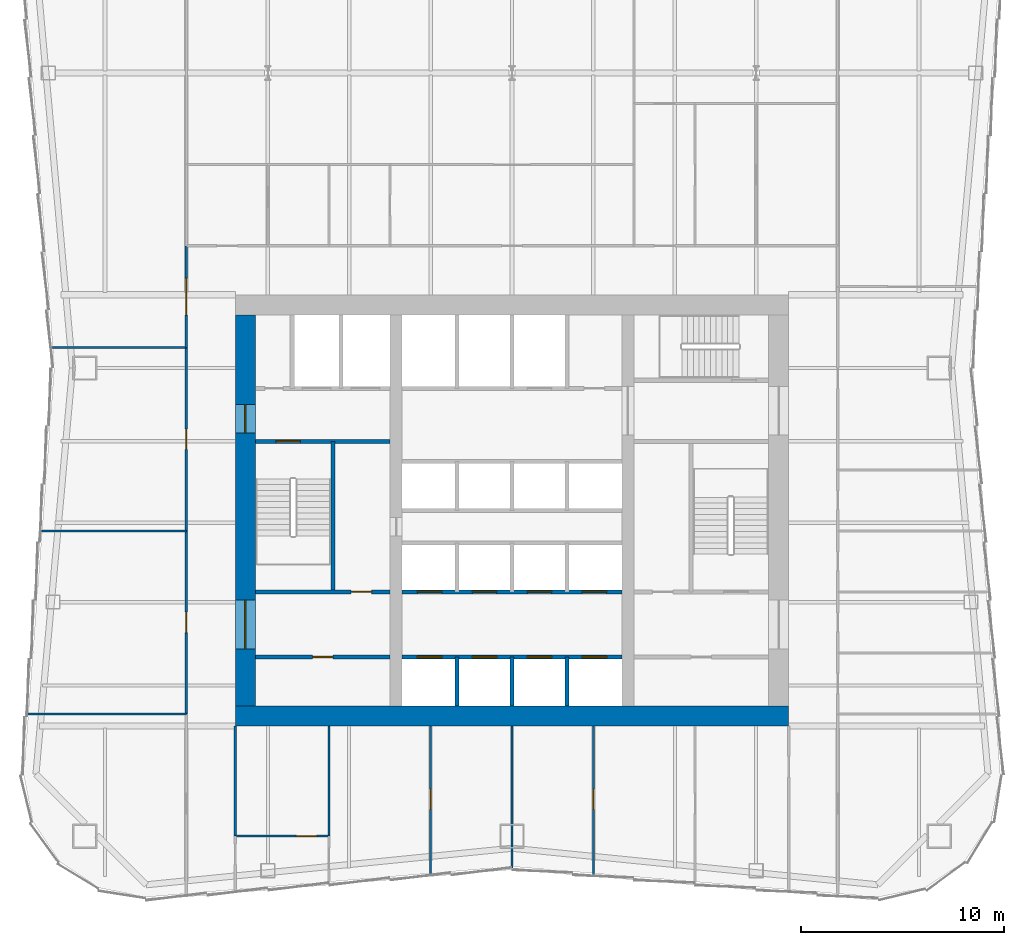
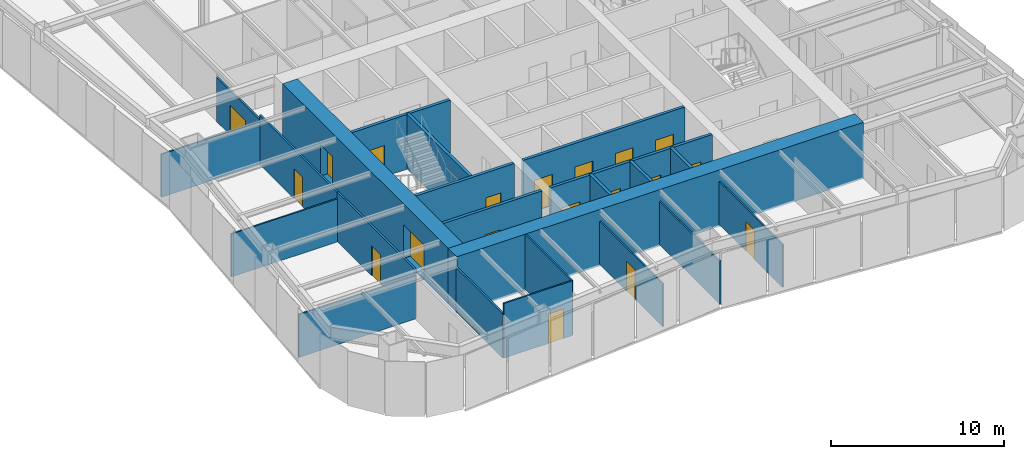
# One storey, part 4 of 8: 23 walls, 19 doors, 19 openings.
"""IFC4 building model written with IfcOpenShell, lengths in metres."""

import ifcopenshell
import ifcopenshell.guid

model = None  # the IFC model being written
_history = None  # IfcOwnerHistory: only IFC2X3 demands one
_inside = {}  # id of a spatial element -> (the spatial element, [elements in it])
_under = {}  # id of a project, library or spatial element -> (it, [spatial elements below it])
_declared = {}  # id of a project -> (the project, [libraries it declares])
_typed = {}  # id of a type object -> (the type object, [elements of that type])
_made_of = {}  # id of a material, layer set ... -> (it, [elements and type objects made of it])


def new_model(schema):
    """Start an empty IFC model of exactly this schema.

    Asked for "IFC4X3", IfcOpenShell would pick the latest addendum, in which some entities
    have other attributes; the version numbers below select the first issue.
    IFC2X3 requires an IfcOwnerHistory on every rooted entity: one is made here for all.
    """
    global model, _history
    if schema == "IFC4X3":
        model = ifcopenshell.file(schema_version=(4, 3, 0, 0))
    else:
        model = ifcopenshell.file(schema=schema)
    _inside.clear()
    _under.clear()
    _declared.clear()
    _typed.clear()
    _made_of.clear()
    _history = None
    if model.schema == "IFC2X3":
        org = make("IfcOrganization", Name="unknown")
        user = make(
            "IfcPersonAndOrganization",
            ThePerson=make("IfcPerson", FamilyName="unknown"),
            TheOrganization=org,
        )
        app = make(
            "IfcApplication",
            ApplicationDeveloper=org,
            Version="unknown",
            ApplicationFullName="unknown",
            ApplicationIdentifier="unknown",
        )
        _history = make(
            "IfcOwnerHistory",
            OwningUser=user,
            OwningApplication=app,
            ChangeAction="ADDED",
            CreationDate=0,
        )
    return model


def make(cls, **values):
    """One entity of the class cls with the attributes given. An attribute that is None is left unset."""
    return model.create_entity(
        cls, **{name: value for name, value in values.items() if value is not None}
    )


def rooted(cls, **values):
    """An entity with a GlobalId (a new one), such as an element, a storey or a relation."""
    return make(cls, GlobalId=ifcopenshell.guid.new(), OwnerHistory=_history, **values)


def si_unit(unit_type, name, prefix=None):
    """IfcSIUnit, for example si_unit("LENGTHUNIT", "METRE", prefix="MILLI")."""
    return make("IfcSIUnit", UnitType=unit_type, Prefix=prefix, Name=name)


def assignment(units):
    """IfcUnitAssignment: the units of a project."""
    return None if units is None else make("IfcUnitAssignment", Units=units)


def point(xyz):
    """IfcCartesianPoint."""
    return None if xyz is None else make("IfcCartesianPoint", Coordinates=xyz)


def direction(xyz):
    """IfcDirection."""
    return None if xyz is None else make("IfcDirection", DirectionRatios=xyz)


def frame(location, z_axis=None, x_axis=None):
    """IfcAxis2Placement3D, a coordinate frame: its origin and axes. An axis left out is left unset."""
    return make(
        "IfcAxis2Placement3D",
        Location=point(location),
        Axis=direction(z_axis),
        RefDirection=direction(x_axis),
    )


def frame_2d(location, x_axis=None):
    """IfcAxis2Placement2D, a coordinate frame in the plane: its origin and x axis."""
    return make(
        "IfcAxis2Placement2D", Location=point(location), RefDirection=direction(x_axis)
    )


def origin():
    """The frame at (0, 0, 0) with its axes left unset."""
    return frame((0.0, 0.0, 0.0))


def place(relative_to, where):
    """IfcLocalPlacement: puts the frame where relative to a parent placement (None: the world)."""
    return make(
        "IfcLocalPlacement", PlacementRelTo=relative_to, RelativePlacement=where
    )


def context(
    kind, dimensions, precision=None, world=None, true_north=None, identifier=None
):
    """IfcGeometricRepresentationContext, for example the 3D "Model" context."""
    return make(
        "IfcGeometricRepresentationContext",
        ContextIdentifier=identifier,
        ContextType=kind,
        CoordinateSpaceDimension=dimensions,
        Precision=precision,
        WorldCoordinateSystem=world,
        TrueNorth=true_north,
    )


def subcontext(parent, identifier, kind, view, scale=None):
    """IfcGeometricRepresentationSubContext, for example "Body" below "Model"."""
    return make(
        "IfcGeometricRepresentationSubContext",
        ContextIdentifier=identifier,
        ContextType=kind,
        ParentContext=parent,
        TargetScale=scale,
        TargetView=view,
    )


def project(units=None, contexts=None):
    """IfcProject with its units and contexts."""
    return rooted(
        "IfcProject",
        Name="project",
        RepresentationContexts=contexts,
        UnitsInContext=assignment(units),
    )


def spatial(cls, under=None, at=None, **own):
    """A site, building, storey or space (cls), placed at a placement, below another one or the project."""
    s = rooted(cls, ObjectPlacement=at, **own)
    if under is not None:
        _under.setdefault(under.id(), (under, []))[1].append(s)
    return s


def profile(cls, at=None, kind="AREA", **sizes):
    """A parametric profile (cls). Its sizes go by their IFC names, for example OverallWidth=200.0."""
    return make(cls, ProfileType=kind, Position=at, **sizes)


def rectangle(**sizes):
    """IfcRectangleProfileDef."""
    return profile("IfcRectangleProfileDef", **sizes)


def extrude(swept, where, along, depth):
    """IfcExtrudedAreaSolid: the profile swept, set in the frame where, extruded along a direction by depth."""
    return make(
        "IfcExtrudedAreaSolid",
        SweptArea=swept,
        Position=where,
        ExtrudedDirection=direction(along),
        Depth=depth,
    )


def shape(context_of_items, identifier, shape_type, items):
    """IfcShapeRepresentation: the items that make up one representation, for example the "Body"."""
    return make(
        "IfcShapeRepresentation",
        ContextOfItems=context_of_items,
        RepresentationIdentifier=identifier,
        RepresentationType=shape_type,
        Items=items,
    )


def material(Name=None, Category=None):
    """IfcMaterial."""
    return make("IfcMaterial", Name=Name, Category=Category)


def layer(
    of_material, thickness, ventilated=None, Name=None, Category=None, Priority=None
):
    """IfcMaterialLayer: one layer of a wall or slab, of a material (None: an air gap)."""
    return make(
        "IfcMaterialLayer",
        Material=of_material,
        LayerThickness=thickness,
        IsVentilated=ventilated,
        Name=Name,
        Category=Category,
        Priority=Priority,
    )


def layer_set(layers, Name=None):
    """IfcMaterialLayerSet."""
    return make("IfcMaterialLayerSet", MaterialLayers=layers, LayerSetName=Name)


def made_of(thing, what):
    """Note that an element or type object is made of a material, layer set ...; save() writes the relation."""
    if what is not None:
        _made_of.setdefault(what.id(), (what, []))[1].append(thing)
    return thing


def type_object(cls, material=None, **own):
    """A type object (cls), such as IfcWallType, which elements share."""
    return made_of(rooted(cls, **own), material)


def element(
    cls,
    number,
    at=None,
    inside=None,
    cuts=None,
    type_object=None,
    material=None,
    context=None,
    identifier="Body",
    shape_type=None,
    held_by="IfcProductDefinitionShape",
    body=None,
    shapes=None,
    **own,
):
    """One element of the class cls, such as IfcWall. Its Tag is "e" and its number.

    at: its placement. inside: the storey or other place that contains it. cuts: it is an
    opening in that element (IfcRelVoidsElement). A single representation is given by context,
    identifier, shape_type and body (its items); several are given by shapes. held_by: the class
    of the entity that holds the representations. save() writes the other relations.
    """
    e = rooted(cls, Tag="e%d" % number, ObjectPlacement=at, **own)
    if body is not None:
        shapes = [shape(context, identifier, shape_type, body)]
    if shapes is not None:
        e.Representation = make(held_by, Representations=shapes)
    if inside is not None:
        _inside.setdefault(inside.id(), (inside, []))[1].append(e)
    if cuts is not None:
        rooted(
            "IfcRelVoidsElement", RelatingBuildingElement=cuts, RelatedOpeningElement=e
        )
    if type_object is not None:
        _typed.setdefault(type_object.id(), (type_object, []))[1].append(e)
    return made_of(e, material)


def fill(opening, filler):
    """IfcRelFillsElement: the door or window that sits in an opening."""
    return rooted(
        "IfcRelFillsElement",
        RelatingOpeningElement=opening,
        RelatedBuildingElement=filler,
    )


def aggregate(whole, parts):
    """IfcRelAggregates: a whole, such as a stair, and the parts it consists of."""
    return rooted("IfcRelAggregates", RelatingObject=whole, RelatedObjects=parts)


def save(model, path):
    """Write the relations noted so far, then the file.

    IfcRelAggregates (storeys below a building ...), IfcRelContainedInSpatialStructure (elements
    in a storey), IfcRelDefinesByType, IfcRelAssociatesMaterial and IfcRelDeclares: one each for
    every whole, place, type object, material and project.
    """
    for whole, parts in _under.values():
        aggregate(whole, parts)
    for where, things in _inside.values():
        rooted(
            "IfcRelContainedInSpatialStructure",
            RelatedElements=things,
            RelatingStructure=where,
        )
    for kind, things in _typed.values():
        rooted("IfcRelDefinesByType", RelatedObjects=things, RelatingType=kind)
    for what, things in _made_of.values():
        rooted("IfcRelAssociatesMaterial", RelatedObjects=things, RelatingMaterial=what)
    for by, libraries in _declared.values():
        rooted("IfcRelDeclares", RelatingContext=by, RelatedDefinitions=libraries)
    model.write(path)


model = new_model("IFC4")

# Units and contexts
model_context = context("Model", 3, precision=1e-05, world=origin(), true_north=direction((0.0, 1.0)))
body_context = subcontext(model_context, "Body", "Model", "MODEL_VIEW")
ifc_project = project(units=[si_unit("LENGTHUNIT", "METRE"), si_unit("AREAUNIT", "SQUARE_METRE"), si_unit("VOLUMEUNIT", "CUBIC_METRE"), si_unit("PLANEANGLEUNIT", "RADIAN"), si_unit("MASSUNIT", "GRAM", prefix="KILO")], contexts=[model_context])

# Site, building, storey
site_placement = place(None, origin())
site = spatial("IfcSite", under=ifc_project, at=site_placement, CompositionType="ELEMENT")
building_placement = place(site_placement, origin())
building = spatial("IfcBuilding", under=site, at=building_placement, Name="Verdant Reach Tower", CompositionType="ELEMENT")
storey_placement = place(building_placement, frame((0.0, 0.0, 154.0)))
storey = spatial("IfcBuildingStorey", under=building, at=storey_placement, Name="L35", CompositionType="ELEMENT", Elevation=154.0)

# Wall, opening, door
ifc_material_1 = material(Name="Gypsum board on steel studs", Category="steel")
ifc_layer_1 = layer(ifc_material_1, 0.199951171875)
ifc_layer_set_1 = layer_set([ifc_layer_1], Name="CO-WALL-ROOM")
wall_type_1 = type_object("IfcWallType", Name="CO-WALL-ROOM", PredefinedType="PARTITIONING", material=ifc_layer_set_1)
wall_1_placement = place(storey_placement, frame((-12.60009765625, 20.800048828125, 0.0), z_axis=(0.0, 0.0, 1.0), x_axis=(1.0, 0.0, 0.0)))
wall_1 = element("IfcWall", 1, at=wall_1_placement, inside=storey, type_object=wall_type_1, Name="Core partition, L35", PredefinedType="PARTITIONING", context=body_context, shape_type="SweptSolid", body=[
    extrude(rectangle(XDim=6.60009765625, YDim=0.199951171875, at=frame_2d((3.300048828125, 0.0))), origin(), (0.0, 0.0, 1.0), 3.8701171875),
])
opening_1_placement = place(wall_1_placement, frame((2.800048828125, 0.0, 0.0)))
opening_1 = element("IfcOpeningElement", 2, at=opening_1_placement, cuts=wall_1, Name="Opening CD", PredefinedType="OPENING", context=body_context, shape_type="SweptSolid", body=[
    extrude(rectangle(XDim=1.0, YDim=2.10009765625, at=frame_2d((0.5, 1.050048828125))), frame((0.0, 0.10986328125, 0.0), z_axis=(0.0, -1.0, 0.0), x_axis=(1.0, 0.0, 0.0)), (0.0, 0.0, 1.0), 0.219970703125),
])
ifc_material_2 = material(Name="Timber", Category="wood")
door_type_1 = type_object("IfcDoorType", Name="CO-DOOR-ROOM", OperationType="NOTDEFINED", PredefinedType="DOOR", material=ifc_material_2)
door_1_placement = place(opening_1_placement, origin())
door_1 = element("IfcDoor", 3, at=door_1_placement, inside=storey, type_object=door_type_1, Name="Core room door, L35", OperationType="SINGLE_SWING_LEFT", OverallHeight=2.10009765625, OverallWidth=1.0, PredefinedType="DOOR", context=body_context, shape_type="SweptSolid", body=[
    extrude(rectangle(XDim=1.0, YDim=2.10009765625, at=frame_2d((0.5, 1.050048828125))), frame((0.0, 0.02490234375, 0.0), z_axis=(0.0, -1.0, 0.0), x_axis=(1.0, 0.0, 0.0)), (0.0, 0.0, 1.0), 0.050048828125),
])
fill(opening_1, door_1)

# Wall, openings, doors
ifc_material_3 = material(Name="Concrete C40/50", Category="concrete")
ifc_layer_2 = layer(ifc_material_3, 0.199951171875)
ifc_layer_set_2 = layer_set([ifc_layer_2], Name="CO-WALL-SHAFT")
wall_type_2 = type_object("IfcWallType", Name="CO-WALL-SHAFT", PredefinedType="PARTITIONING", material=ifc_layer_set_2)
wall_2_placement = place(storey_placement, frame((-5.39990234375, 20.800048828125, 0.0), z_axis=(0.0, 0.0, 1.0), x_axis=(1.0, 0.0, 0.0)))
wall_2 = element("IfcWall", 4, at=wall_2_placement, inside=storey, type_object=wall_type_2, Name="Lift shaft wall, L35", PredefinedType="PARTITIONING", context=body_context, shape_type="SweptSolid", body=[
    extrude(rectangle(XDim=10.7998046875, YDim=0.199951171875, at=frame_2d((5.39990234375, 0.0))), origin(), (0.0, 0.0, 1.0), 3.8701171875),
])
opening_2_placement = place(wall_2_placement, frame((0.75, 0.0, 0.0)))
opening_2 = element("IfcOpeningElement", 5, at=opening_2_placement, cuts=wall_2, Name="Opening LD-A1", PredefinedType="OPENING", context=body_context, shape_type="SweptSolid", body=[
    extrude(rectangle(XDim=1.199951171875, YDim=2.199951171875, at=frame_2d((0.60009765625, 1.10009765625))), frame((0.0, 0.10986328125, 0.0), z_axis=(0.0, -1.0, 0.0), x_axis=(1.0, 0.0, 0.0)), (0.0, 0.0, 1.0), 0.219970703125),
])
opening_3_placement = place(wall_2_placement, frame((3.449951171875, 0.0, 0.0)))
opening_3 = element("IfcOpeningElement", 6, at=opening_3_placement, cuts=wall_2, Name="Opening LD-A2", PredefinedType="OPENING", context=body_context, shape_type="SweptSolid", body=[
    extrude(rectangle(XDim=1.199951171875, YDim=2.199951171875, at=frame_2d((0.60009765625, 1.10009765625))), frame((0.0, 0.10986328125, 0.0), z_axis=(0.0, -1.0, 0.0), x_axis=(1.0, 0.0, 0.0)), (0.0, 0.0, 1.0), 0.219970703125),
])
opening_4_placement = place(wall_2_placement, frame((6.14990234375, 0.0, 0.0)))
opening_4 = element("IfcOpeningElement", 7, at=opening_4_placement, cuts=wall_2, Name="Opening LD-A3", PredefinedType="OPENING", context=body_context, shape_type="SweptSolid", body=[
    extrude(rectangle(XDim=1.199951171875, YDim=2.199951171875, at=frame_2d((0.60009765625, 1.10009765625))), frame((0.0, 0.10986328125, 0.0), z_axis=(0.0, -1.0, 0.0), x_axis=(1.0, 0.0, 0.0)), (0.0, 0.0, 1.0), 0.219970703125),
])
opening_5_placement = place(wall_2_placement, frame((8.85009765625, 0.0, 0.0)))
opening_5 = element("IfcOpeningElement", 8, at=opening_5_placement, cuts=wall_2, Name="Opening LD-A4", PredefinedType="OPENING", context=body_context, shape_type="SweptSolid", body=[
    extrude(rectangle(XDim=1.199951171875, YDim=2.199951171875, at=frame_2d((0.60009765625, 1.10009765625))), frame((0.0, 0.10986328125, 0.0), z_axis=(0.0, -1.0, 0.0), x_axis=(1.0, 0.0, 0.0)), (0.0, 0.0, 1.0), 0.219970703125),
])
ifc_material_4 = material(Name="Stainless steel", Category="steel")
door_type_2 = type_object("IfcDoorType", Name="CO-DOOR-LANDING", OperationType="SLIDING_TO_LEFT", PredefinedType="DOOR", material=ifc_material_4)
door_2_placement = place(opening_2_placement, origin())
door_2 = element("IfcDoor", 9, at=door_2_placement, inside=storey, type_object=door_type_2, Name="Landing door A1, L35", OperationType="SLIDING_TO_LEFT", OverallHeight=2.199951171875, OverallWidth=1.199951171875, PredefinedType="DOOR", context=body_context, shape_type="SweptSolid", body=[
    extrude(rectangle(XDim=1.199951171875, YDim=2.199951171875, at=frame_2d((0.60009765625, 1.10009765625))), frame((0.0, 0.02490234375, 0.0), z_axis=(0.0, -1.0, 0.0), x_axis=(1.0, 0.0, 0.0)), (0.0, 0.0, 1.0), 0.050048828125),
])
fill(opening_2, door_2)
door_3_placement = place(opening_3_placement, origin())
door_3 = element("IfcDoor", 10, at=door_3_placement, inside=storey, type_object=door_type_2, Name="Landing door A2, L35", OperationType="SLIDING_TO_LEFT", OverallHeight=2.199951171875, OverallWidth=1.199951171875, PredefinedType="DOOR", context=body_context, shape_type="SweptSolid", body=[
    extrude(rectangle(XDim=1.199951171875, YDim=2.199951171875, at=frame_2d((0.60009765625, 1.10009765625))), frame((0.0, 0.02490234375, 0.0), z_axis=(0.0, -1.0, 0.0), x_axis=(1.0, 0.0, 0.0)), (0.0, 0.0, 1.0), 0.050048828125),
])
fill(opening_3, door_3)
door_4_placement = place(opening_4_placement, origin())
door_4 = element("IfcDoor", 11, at=door_4_placement, inside=storey, type_object=door_type_2, Name="Landing door A3, L35", OperationType="SLIDING_TO_LEFT", OverallHeight=2.199951171875, OverallWidth=1.199951171875, PredefinedType="DOOR", context=body_context, shape_type="SweptSolid", body=[
    extrude(rectangle(XDim=1.199951171875, YDim=2.199951171875, at=frame_2d((0.60009765625, 1.10009765625))), frame((0.0, 0.02490234375, 0.0), z_axis=(0.0, -1.0, 0.0), x_axis=(1.0, 0.0, 0.0)), (0.0, 0.0, 1.0), 0.050048828125),
])
fill(opening_4, door_4)
door_5_placement = place(opening_5_placement, origin())
door_5 = element("IfcDoor", 12, at=door_5_placement, inside=storey, type_object=door_type_2, Name="Landing door A4, L35", OperationType="SLIDING_TO_LEFT", OverallHeight=2.199951171875, OverallWidth=1.199951171875, PredefinedType="DOOR", context=body_context, shape_type="SweptSolid", body=[
    extrude(rectangle(XDim=1.199951171875, YDim=2.199951171875, at=frame_2d((0.60009765625, 1.10009765625))), frame((0.0, 0.02490234375, 0.0), z_axis=(0.0, -1.0, 0.0), x_axis=(1.0, 0.0, 0.0)), (0.0, 0.0, 1.0), 0.050048828125),
])
fill(opening_5, door_5)

wall_3_placement = place(storey_placement, frame((-5.39990234375, 24.0, 0.0), z_axis=(0.0, 0.0, 1.0), x_axis=(1.0, 0.0, 0.0)))
wall_3 = element("IfcWall", 13, at=wall_3_placement, inside=storey, type_object=wall_type_2, Name="Lift shaft wall, L35", PredefinedType="PARTITIONING", context=body_context, shape_type="SweptSolid", body=[
    extrude(rectangle(XDim=10.7998046875, YDim=0.199951171875, at=frame_2d((5.39990234375, 0.0))), origin(), (0.0, 0.0, 1.0), 3.8701171875),
])
opening_6_placement = place(wall_3_placement, frame((0.75, 0.0, 0.0)))
opening_6 = element("IfcOpeningElement", 14, at=opening_6_placement, cuts=wall_3, Name="Opening LD-A5", PredefinedType="OPENING", context=body_context, shape_type="SweptSolid", body=[
    extrude(rectangle(XDim=1.199951171875, YDim=2.199951171875, at=frame_2d((0.60009765625, 1.10009765625))), frame((0.0, 0.10986328125, 0.0), z_axis=(0.0, -1.0, 0.0), x_axis=(1.0, 0.0, 0.0)), (0.0, 0.0, 1.0), 0.219970703125),
])
opening_7_placement = place(wall_3_placement, frame((3.449951171875, 0.0, 0.0)))
opening_7 = element("IfcOpeningElement", 15, at=opening_7_placement, cuts=wall_3, Name="Opening LD-A6", PredefinedType="OPENING", context=body_context, shape_type="SweptSolid", body=[
    extrude(rectangle(XDim=1.199951171875, YDim=2.199951171875, at=frame_2d((0.60009765625, 1.10009765625))), frame((0.0, 0.10986328125, 0.0), z_axis=(0.0, -1.0, 0.0), x_axis=(1.0, 0.0, 0.0)), (0.0, 0.0, 1.0), 0.219970703125),
])
opening_8_placement = place(wall_3_placement, frame((6.14990234375, 0.0, 0.0)))
opening_8 = element("IfcOpeningElement", 16, at=opening_8_placement, cuts=wall_3, Name="Opening LD-A7", PredefinedType="OPENING", context=body_context, shape_type="SweptSolid", body=[
    extrude(rectangle(XDim=1.199951171875, YDim=2.199951171875, at=frame_2d((0.60009765625, 1.10009765625))), frame((0.0, 0.10986328125, 0.0), z_axis=(0.0, -1.0, 0.0), x_axis=(1.0, 0.0, 0.0)), (0.0, 0.0, 1.0), 0.219970703125),
])
opening_9_placement = place(wall_3_placement, frame((8.85009765625, 0.0, 0.0)))
opening_9 = element("IfcOpeningElement", 17, at=opening_9_placement, cuts=wall_3, Name="Opening LD-A8", PredefinedType="OPENING", context=body_context, shape_type="SweptSolid", body=[
    extrude(rectangle(XDim=1.199951171875, YDim=2.199951171875, at=frame_2d((0.60009765625, 1.10009765625))), frame((0.0, 0.10986328125, 0.0), z_axis=(0.0, -1.0, 0.0), x_axis=(1.0, 0.0, 0.0)), (0.0, 0.0, 1.0), 0.219970703125),
])
door_6_placement = place(opening_6_placement, origin())
door_6 = element("IfcDoor", 18, at=door_6_placement, inside=storey, type_object=door_type_2, Name="Landing door A5, L35", OperationType="SLIDING_TO_LEFT", OverallHeight=2.199951171875, OverallWidth=1.199951171875, PredefinedType="DOOR", context=body_context, shape_type="SweptSolid", body=[
    extrude(rectangle(XDim=1.199951171875, YDim=2.199951171875, at=frame_2d((0.60009765625, 1.10009765625))), frame((0.0, 0.02490234375, 0.0), z_axis=(0.0, -1.0, 0.0), x_axis=(1.0, 0.0, 0.0)), (0.0, 0.0, 1.0), 0.050048828125),
])
fill(opening_6, door_6)
door_7_placement = place(opening_7_placement, origin())
door_7 = element("IfcDoor", 19, at=door_7_placement, inside=storey, type_object=door_type_2, Name="Landing door A6, L35", OperationType="SLIDING_TO_LEFT", OverallHeight=2.199951171875, OverallWidth=1.199951171875, PredefinedType="DOOR", context=body_context, shape_type="SweptSolid", body=[
    extrude(rectangle(XDim=1.199951171875, YDim=2.199951171875, at=frame_2d((0.60009765625, 1.10009765625))), frame((0.0, 0.02490234375, 0.0), z_axis=(0.0, -1.0, 0.0), x_axis=(1.0, 0.0, 0.0)), (0.0, 0.0, 1.0), 0.050048828125),
])
fill(opening_7, door_7)
door_8_placement = place(opening_8_placement, origin())
door_8 = element("IfcDoor", 20, at=door_8_placement, inside=storey, type_object=door_type_2, Name="Landing door A7, L35", OperationType="SLIDING_TO_LEFT", OverallHeight=2.199951171875, OverallWidth=1.199951171875, PredefinedType="DOOR", context=body_context, shape_type="SweptSolid", body=[
    extrude(rectangle(XDim=1.199951171875, YDim=2.199951171875, at=frame_2d((0.60009765625, 1.10009765625))), frame((0.0, 0.02490234375, 0.0), z_axis=(0.0, -1.0, 0.0), x_axis=(1.0, 0.0, 0.0)), (0.0, 0.0, 1.0), 0.050048828125),
])
fill(opening_8, door_8)
door_9_placement = place(opening_9_placement, origin())
door_9 = element("IfcDoor", 21, at=door_9_placement, inside=storey, type_object=door_type_2, Name="Landing door A8, L35", OperationType="SLIDING_TO_LEFT", OverallHeight=2.199951171875, OverallWidth=1.199951171875, PredefinedType="DOOR", context=body_context, shape_type="SweptSolid", body=[
    extrude(rectangle(XDim=1.199951171875, YDim=2.199951171875, at=frame_2d((0.60009765625, 1.10009765625))), frame((0.0, 0.02490234375, 0.0), z_axis=(0.0, -1.0, 0.0), x_axis=(1.0, 0.0, 0.0)), (0.0, 0.0, 1.0), 0.050048828125),
])
fill(opening_9, door_9)

# Walls
for number, where, z_axis, x_axis, name in (
    (22, (-2.699951171875, 18.39990234375, 0.0), (0.0, 0.0, 1.0), (0.0, 1.0, 0.0), "Lift shaft wall, L35"),
    (23, (0.0, 18.39990234375, 0.0), (0.0, 0.0, 1.0), (0.0, 1.0, 0.0), "Lift shaft wall, L35"),
    (24, (2.699951171875, 18.39990234375, 0.0), (0.0, 0.0, 1.0), (0.0, 1.0, 0.0), "Lift shaft wall, L35"),
):
    element("IfcWall", number, at=place(storey_placement, frame(where, z_axis=z_axis, x_axis=x_axis)), inside=storey, type_object=wall_type_2, Name=name, PredefinedType="PARTITIONING", context=body_context, shape_type="SweptSolid", body=[
        extrude(rectangle(XDim=2.400146484375, YDim=0.199951171875, at=frame_2d((1.2001953125, 0.0))), origin(), (0.0, 0.0, 1.0), 3.8701171875),
    ])

# Wall, opening, door
ifc_layer_3 = layer(ifc_material_3, 0.199951171875)
ifc_layer_set_3 = layer_set([ifc_layer_3], Name="CO-WALL-STAIR")
wall_type_3 = type_object("IfcWallType", Name="CO-WALL-STAIR", PredefinedType="PARTITIONING", material=ifc_layer_set_3)
wall_4_placement = place(storey_placement, frame((-12.60009765625, 24.0, 0.0), z_axis=(0.0, 0.0, 1.0), x_axis=(1.0, 0.0, 0.0)))
wall_4 = element("IfcWall", 25, at=wall_4_placement, inside=storey, type_object=wall_type_3, Name="Stair enclosure wall, L35", PredefinedType="PARTITIONING", context=body_context, shape_type="SweptSolid", body=[
    extrude(rectangle(XDim=6.60009765625, YDim=0.199951171875, at=frame_2d((3.300048828125, 0.0))), origin(), (0.0, 0.0, 1.0), 3.8701171875),
])
opening_10_placement = place(wall_4_placement, frame((4.699951171875, 0.0, 0.0)))
opening_10 = element("IfcOpeningElement", 26, at=opening_10_placement, cuts=wall_4, Name="Opening CD", PredefinedType="OPENING", context=body_context, shape_type="SweptSolid", body=[
    extrude(rectangle(XDim=1.0, YDim=2.10009765625, at=frame_2d((0.5, 1.050048828125))), frame((0.0, 0.10986328125, 0.0), z_axis=(0.0, -1.0, 0.0), x_axis=(1.0, 0.0, 0.0)), (0.0, 0.0, 1.0), 0.219970703125),
])
door_10_placement = place(opening_10_placement, origin())
door_10 = element("IfcDoor", 27, at=door_10_placement, inside=storey, type_object=door_type_1, Name="Core room door, L35", OperationType="SINGLE_SWING_RIGHT", OverallHeight=2.10009765625, OverallWidth=1.0, PredefinedType="DOOR", context=body_context, shape_type="SweptSolid", body=[
    extrude(rectangle(XDim=1.0, YDim=2.10009765625, at=frame_2d((0.5, 1.050048828125))), frame((0.0, 0.02490234375, 0.0), z_axis=(0.0, -1.0, 0.0), x_axis=(1.0, 0.0, 0.0)), (0.0, 0.0, 1.0), 0.050048828125),
])
fill(opening_10, door_10)

wall_5_placement = place(storey_placement, frame((-12.60009765625, 31.39990234375, 0.0), z_axis=(0.0, 0.0, 1.0), x_axis=(1.0, 0.0, 0.0)))
wall_5 = element("IfcWall", 28, at=wall_5_placement, inside=storey, type_object=wall_type_3, Name="Stair enclosure wall, L35", PredefinedType="PARTITIONING", context=body_context, shape_type="SweptSolid", body=[
    extrude(rectangle(XDim=6.60009765625, YDim=0.199951171875, at=frame_2d((3.300048828125, 0.0))), origin(), (0.0, 0.0, 1.0), 3.8701171875),
])
opening_11_placement = place(wall_5_placement, frame((1.0, 0.0, 0.0)))
opening_11 = element("IfcOpeningElement", 29, at=opening_11_placement, cuts=wall_5, Name="Opening SD", PredefinedType="OPENING", context=body_context, shape_type="SweptSolid", body=[
    extrude(rectangle(XDim=1.199951171875, YDim=2.199951171875, at=frame_2d((0.60009765625, 1.10009765625))), frame((0.0, 0.10986328125, 0.0), z_axis=(0.0, -1.0, 0.0), x_axis=(1.0, 0.0, 0.0)), (0.0, 0.0, 1.0), 0.219970703125),
])
ifc_material_5 = material(Name="Steel", Category="steel")
door_type_3 = type_object("IfcDoorType", Name="CO-DOOR-STAIR", OperationType="NOTDEFINED", PredefinedType="DOOR", material=ifc_material_5)
door_11_placement = place(opening_11_placement, origin())
door_11 = element("IfcDoor", 30, at=door_11_placement, inside=storey, type_object=door_type_3, Name="Stair door, L35", OperationType="SINGLE_SWING_RIGHT", OverallHeight=2.199951171875, OverallWidth=1.199951171875, PredefinedType="DOOR", context=body_context, shape_type="SweptSolid", body=[
    extrude(rectangle(XDim=1.199951171875, YDim=2.199951171875, at=frame_2d((0.60009765625, 1.10009765625))), frame((0.0, 0.02490234375, 0.0), z_axis=(0.0, -1.0, 0.0), x_axis=(1.0, 0.0, 0.0)), (0.0, 0.0, 1.0), 0.050048828125),
])
fill(opening_11, door_11)

# Walls
wall_6_placement = place(storey_placement, frame((-8.800048828125, 24.0, 0.0), z_axis=(0.0, 0.0, 1.0), x_axis=(0.0, 1.0, 0.0)))
element("IfcWall", 31, at=wall_6_placement, inside=storey, type_object=wall_type_3, Name="Stair enclosure wall, L35", PredefinedType="PARTITIONING", context=body_context, shape_type="SweptSolid", body=[
    extrude(rectangle(XDim=7.39990234375, YDim=0.199951171875, at=frame_2d((3.699951171875, 0.0))), origin(), (0.0, 0.0, 1.0), 3.8701171875),
])
ifc_layer_4 = layer(ifc_material_1, 0.10009765625)
ifc_layer_set_4 = layer_set([ifc_layer_4], Name="FL-W1 Partition 100")
wall_type_4 = type_object("IfcWallType", Name="FL-W1 Partition 100", PredefinedType="PARTITIONING", material=ifc_layer_set_4)
wall_7_placement = place(storey_placement, frame((-16.0, 18.0, 0.0), z_axis=(0.0, 0.0, 1.0), x_axis=(-1.0, 0.0, 0.0)))
element("IfcWall", 32, at=wall_7_placement, inside=storey, type_object=wall_type_4, Name="Partition 35.22", PredefinedType="PARTITIONING", context=body_context, shape_type="SweptSolid", body=[
    extrude(rectangle(XDim=7.85498046875, YDim=0.10009765625, at=frame_2d((3.927490234375, 0.0))), origin(), (0.0, 0.0, 1.0), 3.0400390625),
])
wall_8_placement = place(storey_placement, frame((-16.0, 27.0, 0.0), z_axis=(0.0, 0.0, 1.0), x_axis=(-1.0, 0.0, 0.0)))
element("IfcWall", 33, at=wall_8_placement, inside=storey, type_object=wall_type_4, Name="Partition 35.23", PredefinedType="PARTITIONING", context=body_context, shape_type="SweptSolid", body=[
    extrude(rectangle(XDim=7.179931640625, YDim=0.10009765625, at=frame_2d((3.58984375, 0.0))), origin(), (0.0, 0.0, 1.0), 3.0400390625),
])
wall_9_placement = place(storey_placement, frame((-16.0, 36.0, 0.0), z_axis=(0.0, 0.0, 1.0), x_axis=(-1.0, 0.0, 0.0)))
element("IfcWall", 34, at=wall_9_placement, inside=storey, type_object=wall_type_4, Name="Partition 35.24", PredefinedType="PARTITIONING", context=body_context, shape_type="SweptSolid", body=[
    extrude(rectangle(XDim=6.655029296875, YDim=0.10009765625, at=frame_2d((3.32763671875, 0.0))), origin(), (0.0, 0.0, 1.0), 3.0400390625),
])

# Wall, opening, door
wall_10_placement = place(storey_placement, frame((-13.60009765625, 12.0, 0.0), z_axis=(0.0, 0.0, 1.0), x_axis=(1.0, 0.0, 0.0)))
wall_10 = element("IfcWall", 35, at=wall_10_placement, inside=storey, type_object=wall_type_4, Name="Partition 35.37", PredefinedType="PARTITIONING", context=body_context, shape_type="SweptSolid", body=[
    extrude(rectangle(XDim=4.60009765625, YDim=0.10009765625, at=frame_2d((2.300048828125, 0.0))), origin(), (0.0, 0.0, 1.0), 3.8701171875),
])
opening_12_placement = place(wall_10_placement, frame((3.0, 0.0, 0.0)))
opening_12 = element("IfcOpeningElement", 36, at=opening_12_placement, cuts=wall_10, Name="Opening D3", PredefinedType="OPENING", context=body_context, shape_type="SweptSolid", body=[
    extrude(rectangle(XDim=1.0, YDim=2.10009765625, at=frame_2d((0.5, 1.050048828125))), frame((0.0, 0.06005859375, 0.0), z_axis=(0.0, -1.0, 0.0), x_axis=(1.0, 0.0, 0.0)), (0.0, 0.0, 1.0), 0.1201171875),
])
ifc_material_6 = material(Name="Painted timber door leaf", Category="wood")
door_type_4 = type_object("IfcDoorType", Name="FL-D3 Door 1000x2100", OperationType="NOTDEFINED", PredefinedType="DOOR", material=ifc_material_6)
door_12_placement = place(opening_12_placement, origin())
door_12 = element("IfcDoor", 37, at=door_12_placement, inside=storey, type_object=door_type_4, Name="Door 35-017", OperationType="SINGLE_SWING_RIGHT", OverallHeight=2.10009765625, OverallWidth=1.0, PredefinedType="DOOR", context=body_context, shape_type="SweptSolid", body=[
    extrude(rectangle(XDim=1.0, YDim=2.10009765625, at=frame_2d((0.5, 1.050048828125))), frame((0.0, 0.02490234375, 0.0), z_axis=(0.0, -1.0, 0.0), x_axis=(1.0, 0.0, 0.0)), (0.0, 0.0, 1.0), 0.050048828125),
])
fill(opening_12, door_12)

# Wall
wall_11_placement = place(storey_placement, frame((-9.0, 11.99609375, 0.0), z_axis=(0.0, 0.0, 1.0), x_axis=(0.0, 1.0, 0.0)))
element("IfcWall", 38, at=wall_11_placement, inside=storey, type_object=wall_type_4, Name="Partition 35.39", PredefinedType="PARTITIONING", context=body_context, shape_type="SweptSolid", body=[
    extrude(rectangle(XDim=5.40380859375, YDim=0.10009765625, at=frame_2d((2.701904296875, 0.0))), origin(), (0.0, 0.0, 1.0), 3.8701171875),
])

# Wall, opening, door
wall_12_placement = place(storey_placement, frame((-4.0, 17.39990234375, 0.0), z_axis=(0.0, 0.0, 1.0), x_axis=(0.0, -1.0, 0.0)))
wall_12 = element("IfcWall", 39, at=wall_12_placement, inside=storey, type_object=wall_type_4, Name="Partition 35.40", PredefinedType="PARTITIONING", context=body_context, shape_type="SweptSolid", body=[
    extrude(rectangle(XDim=7.313232421875, YDim=0.10009765625, at=frame_2d((3.65673828125, 0.0))), origin(), (0.0, 0.0, 1.0), 3.0400390625),
])
opening_13_placement = place(wall_12_placement, frame((3.091552734375, 0.0, 0.0)))
opening_13 = element("IfcOpeningElement", 40, at=opening_13_placement, cuts=wall_12, Name="Opening D3", PredefinedType="OPENING", context=body_context, shape_type="SweptSolid", body=[
    extrude(rectangle(XDim=1.0, YDim=2.10009765625, at=frame_2d((0.5, 1.050048828125))), frame((0.0, 0.06005859375, 0.0), z_axis=(0.0, -1.0, 0.0), x_axis=(1.0, 0.0, 0.0)), (0.0, 0.0, 1.0), 0.1201171875),
])
door_13_placement = place(opening_13_placement, origin())
door_13 = element("IfcDoor", 41, at=door_13_placement, inside=storey, type_object=door_type_4, Name="Door 35-019", OperationType="SINGLE_SWING_LEFT", OverallHeight=2.10009765625, OverallWidth=1.0, PredefinedType="DOOR", context=body_context, shape_type="SweptSolid", body=[
    extrude(rectangle(XDim=1.0, YDim=2.10009765625, at=frame_2d((0.5, 1.050048828125))), frame((0.0, 0.02490234375, 0.0), z_axis=(0.0, -1.0, 0.0), x_axis=(1.0, 0.0, 0.0)), (0.0, 0.0, 1.0), 0.050048828125),
])
fill(opening_13, door_13)

# Wall
wall_13_placement = place(storey_placement, frame((0.0, 10.419921875, 0.0), z_axis=(0.0, 0.0, 1.0), x_axis=(0.0, 1.0, 0.0)))
element("IfcWall", 42, at=wall_13_placement, inside=storey, type_object=wall_type_4, Name="Partition 35.41", PredefinedType="PARTITIONING", context=body_context, shape_type="SweptSolid", body=[
    extrude(rectangle(XDim=6.97998046875, YDim=0.10009765625, at=frame_2d((3.489990234375, 0.0))), origin(), (0.0, 0.0, 1.0), 3.0400390625),
])

# Wall, opening, door
wall_14_placement = place(storey_placement, frame((4.0, 10.086669921875, 0.0), z_axis=(0.0, 0.0, 1.0), x_axis=(0.0, 1.0, 0.0)))
wall_14 = element("IfcWall", 43, at=wall_14_placement, inside=storey, type_object=wall_type_4, Name="Partition 35.43", PredefinedType="PARTITIONING", context=body_context, shape_type="SweptSolid", body=[
    extrude(rectangle(XDim=7.313232421875, YDim=0.10009765625, at=frame_2d((3.65673828125, 0.0))), origin(), (0.0, 0.0, 1.0), 3.0400390625),
])
opening_14_placement = place(wall_14_placement, frame((3.2216796875, 0.0, 0.0)))
opening_14 = element("IfcOpeningElement", 44, at=opening_14_placement, cuts=wall_14, Name="Opening D3", PredefinedType="OPENING", context=body_context, shape_type="SweptSolid", body=[
    extrude(rectangle(XDim=1.0, YDim=2.10009765625, at=frame_2d((0.5, 1.050048828125))), frame((0.0, 0.06005859375, 0.0), z_axis=(0.0, -1.0, 0.0), x_axis=(1.0, 0.0, 0.0)), (0.0, 0.0, 1.0), 0.1201171875),
])
door_14_placement = place(opening_14_placement, origin())
door_14 = element("IfcDoor", 45, at=door_14_placement, inside=storey, type_object=door_type_4, Name="Door 35-021", OperationType="SINGLE_SWING_RIGHT", OverallHeight=2.10009765625, OverallWidth=1.0, PredefinedType="DOOR", context=body_context, shape_type="SweptSolid", body=[
    extrude(rectangle(XDim=1.0, YDim=2.10009765625, at=frame_2d((0.5, 1.050048828125))), frame((0.0, 0.02490234375, 0.0), z_axis=(0.0, -1.0, 0.0), x_axis=(1.0, 0.0, 0.0)), (0.0, 0.0, 1.0), 0.050048828125),
])
fill(opening_14, door_14)

ifc_material_7 = material(Name="Gypsum board on steel studs, fire rated", Category="steel")
ifc_layer_5 = layer(ifc_material_7, 0.125)
ifc_layer_set_5 = layer_set([ifc_layer_5], Name="FL-W2 Corridor wall 125")
wall_type_5 = type_object("IfcWallType", Name="FL-W2 Corridor wall 125", PredefinedType="PARTITIONING", material=ifc_layer_set_5)
wall_15_placement = place(storey_placement, frame((-16.0, 18.0, 0.0), z_axis=(0.0, 0.0, 1.0), x_axis=(0.0, 1.0, 0.0)))
wall_15 = element("IfcWall", 46, at=wall_15_placement, inside=storey, type_object=wall_type_5, Name="Partition 35.02", PredefinedType="PARTITIONING", context=body_context, shape_type="SweptSolid", body=[
    extrude(rectangle(XDim=9.0, YDim=0.125, at=frame_2d((4.5, 0.0))), origin(), (0.0, 0.0, 1.0), 3.47998046875),
])
opening_15_placement = place(wall_15_placement, frame((4.0, 0.0, 0.0)))
opening_15 = element("IfcOpeningElement", 47, at=opening_15_placement, cuts=wall_15, Name="Opening D2", PredefinedType="OPENING", context=body_context, shape_type="SweptSolid", body=[
    extrude(rectangle(XDim=1.0, YDim=2.10009765625, at=frame_2d((0.5, 1.050048828125))), frame((0.0, 0.072509765625, 0.0), z_axis=(0.0, -1.0, 0.0), x_axis=(1.0, 0.0, 0.0)), (0.0, 0.0, 1.0), 0.14501953125),
])
ifc_material_8 = material(Name="Timber door leaf, fire rated", Category="wood")
door_type_5 = type_object("IfcDoorType", Name="FL-D2 Entrance door 1000x2100 FD30", OperationType="NOTDEFINED", PredefinedType="DOOR", material=ifc_material_8)
door_15_placement = place(opening_15_placement, origin())
door_15 = element("IfcDoor", 48, at=door_15_placement, inside=storey, type_object=door_type_5, Name="Door 35-002", OperationType="SINGLE_SWING_RIGHT", OverallHeight=2.10009765625, OverallWidth=1.0, PredefinedType="DOOR", context=body_context, shape_type="SweptSolid", body=[
    extrude(rectangle(XDim=1.0, YDim=2.10009765625, at=frame_2d((0.5, 1.050048828125))), frame((0.0, 0.02490234375, 0.0), z_axis=(0.0, -1.0, 0.0), x_axis=(1.0, 0.0, 0.0)), (0.0, 0.0, 1.0), 0.050048828125),
])
fill(opening_15, door_15)

wall_16_placement = place(storey_placement, frame((-16.0, 27.0, 0.0), z_axis=(0.0, 0.0, 1.0), x_axis=(0.0, 1.0, 0.0)))
wall_16 = element("IfcWall", 49, at=wall_16_placement, inside=storey, type_object=wall_type_5, Name="Partition 35.03", PredefinedType="PARTITIONING", context=body_context, shape_type="SweptSolid", body=[
    extrude(rectangle(XDim=9.0, YDim=0.125, at=frame_2d((4.5, 0.0))), origin(), (0.0, 0.0, 1.0), 3.47998046875),
])
opening_16_placement = place(wall_16_placement, frame((4.0, 0.0, 0.0)))
opening_16 = element("IfcOpeningElement", 50, at=opening_16_placement, cuts=wall_16, Name="Opening D2", PredefinedType="OPENING", context=body_context, shape_type="SweptSolid", body=[
    extrude(rectangle(XDim=1.0, YDim=2.10009765625, at=frame_2d((0.5, 1.050048828125))), frame((0.0, 0.072509765625, 0.0), z_axis=(0.0, -1.0, 0.0), x_axis=(1.0, 0.0, 0.0)), (0.0, 0.0, 1.0), 0.14501953125),
])
door_16_placement = place(opening_16_placement, origin())
door_16 = element("IfcDoor", 51, at=door_16_placement, inside=storey, type_object=door_type_5, Name="Door 35-003", OperationType="SINGLE_SWING_LEFT", OverallHeight=2.10009765625, OverallWidth=1.0, PredefinedType="DOOR", context=body_context, shape_type="SweptSolid", body=[
    extrude(rectangle(XDim=1.0, YDim=2.10009765625, at=frame_2d((0.5, 1.050048828125))), frame((0.0, 0.02490234375, 0.0), z_axis=(0.0, -1.0, 0.0), x_axis=(1.0, 0.0, 0.0)), (0.0, 0.0, 1.0), 0.050048828125),
])
fill(opening_16, door_16)

wall_17_placement = place(storey_placement, frame((-16.0, 41.00390625, 0.0), z_axis=(0.0, 0.0, 1.0), x_axis=(0.0, -1.0, 0.0)))
wall_17 = element("IfcWall", 52, at=wall_17_placement, inside=storey, type_object=wall_type_5, Name="Partition 35.04", PredefinedType="PARTITIONING", context=body_context, shape_type="SweptSolid", body=[
    extrude(rectangle(XDim=5.00390625, YDim=0.125, at=frame_2d((2.501953125, 0.0))), origin(), (0.0, 0.0, 1.0), 3.139892578125),
])
opening_17_placement = place(wall_17_placement, frame((1.60205078125, 0.0, 0.0)))
opening_17 = element("IfcOpeningElement", 53, at=opening_17_placement, cuts=wall_17, Name="Opening D4", PredefinedType="OPENING", context=body_context, shape_type="SweptSolid", body=[
    extrude(rectangle(XDim=1.800048828125, YDim=2.10009765625, at=frame_2d((0.89990234375, 1.050048828125))), frame((0.0, 0.072509765625, 0.0), z_axis=(0.0, -1.0, 0.0), x_axis=(1.0, 0.0, 0.0)), (0.0, 0.0, 1.0), 0.14501953125),
])
ifc_material_9 = material(Name="Timber door leaves, fire rated", Category="wood")
door_type_6 = type_object("IfcDoorType", Name="FL-D4 Double door 1800x2100 FD30", OperationType="DOUBLE_DOOR_SINGLE_SWING", PredefinedType="DOOR", material=ifc_material_9)
door_17_placement = place(opening_17_placement, origin())
door_17 = element("IfcDoor", 54, at=door_17_placement, inside=storey, type_object=door_type_6, Name="Door 35-004", OperationType="DOUBLE_DOOR_SINGLE_SWING", OverallHeight=2.10009765625, OverallWidth=1.800048828125, PredefinedType="DOOR", context=body_context, shape_type="SweptSolid", body=[
    extrude(rectangle(XDim=1.800048828125, YDim=2.10009765625, at=frame_2d((0.89990234375, 1.050048828125))), frame((0.0, 0.02490234375, 0.0), z_axis=(0.0, -1.0, 0.0), x_axis=(1.0, 0.0, 0.0)), (0.0, 0.0, 1.0), 0.050048828125),
])
fill(opening_17, door_17)

# Walls
wall_18_placement = place(storey_placement, frame((-13.60009765625, 12.0, 0.0), z_axis=(0.0, 0.0, 1.0), x_axis=(0.0, 1.0, 0.0)))
element("IfcWall", 55, at=wall_18_placement, inside=storey, type_object=wall_type_5, Name="Partition 35.13", PredefinedType="PARTITIONING", context=body_context, shape_type="SweptSolid", body=[
    extrude(rectangle(XDim=5.39990234375, YDim=0.125, at=frame_2d((2.699951171875, 0.0))), origin(), (0.0, 0.0, 1.0), 3.139892578125),
])
ifc_material_10 = material(Name="Concrete C70/85", Category="concrete")
ifc_layer_6 = layer(ifc_material_10, 1.0)
ifc_layer_set_6 = layer_set([ifc_layer_6], Name="ST-CORE-WALL-1000")
wall_type_6 = type_object("IfcWallType", Name="ST-CORE-WALL-1000", PredefinedType="SHEAR", material=ifc_layer_set_6)
wall_19_placement = place(storey_placement, frame((-13.60009765625, 17.89990234375, -0.1298828125), z_axis=(0.0, 0.0, 1.0), x_axis=(1.0, 0.0, 0.0)))
element("IfcWall", 56, at=wall_19_placement, inside=storey, type_object=wall_type_6, Name="Core wall S, L35", PredefinedType="SHEAR", context=body_context, shape_type="SweptSolid", body=[
    extrude(rectangle(XDim=27.2001953125, YDim=1.0, at=frame_2d((13.60009765625, 0.0))), origin(), (0.0, 0.0, 1.0), 4.0),
])

# Wall, openings, doors
wall_20_placement = place(storey_placement, frame((-13.10009765625, 18.39990234375, -0.1298828125), z_axis=(0.0, 0.0, 1.0), x_axis=(0.0, 1.0, 0.0)))
wall_20 = element("IfcWall", 57, at=wall_20_placement, inside=storey, type_object=wall_type_6, Name="Core wall W, L35", PredefinedType="SHEAR", context=body_context, shape_type="SweptSolid", body=[
    extrude(rectangle(XDim=19.2001953125, YDim=1.0, at=frame_2d((9.60009765625, 0.0))), origin(), (0.0, 0.0, 1.0), 4.0),
])
opening_18_placement = place(wall_20_placement, frame((2.800048828125, 0.0, 0.1298828125)))
opening_18 = element("IfcOpeningElement", 58, at=opening_18_placement, cuts=wall_20, Name="Opening LB", PredefinedType="OPENING", context=body_context, shape_type="SweptSolid", body=[
    extrude(rectangle(XDim=2.39990234375, YDim=2.39990234375, at=frame_2d((1.199951171875, 1.199951171875))), frame((0.0, 0.510009765625, 0.0), z_axis=(0.0, -1.0, 0.0), x_axis=(1.0, 0.0, 0.0)), (0.0, 0.0, 1.0), 1.02001953125),
])
opening_19_placement = place(wall_20_placement, frame((13.39990234375, 0.0, 0.1298828125)))
opening_19 = element("IfcOpeningElement", 59, at=opening_19_placement, cuts=wall_20, Name="Opening FL", PredefinedType="OPENING", context=body_context, shape_type="SweptSolid", body=[
    extrude(rectangle(XDim=1.39990234375, YDim=2.199951171875, at=frame_2d((0.699951171875, 1.10009765625))), frame((0.0, 0.510009765625, 0.0), z_axis=(0.0, -1.0, 0.0), x_axis=(1.0, 0.0, 0.0)), (0.0, 0.0, 1.0), 1.02001953125),
])
door_type_7 = type_object("IfcDoorType", Name="CO-DOOR-FFL", OperationType="NOTDEFINED", PredefinedType="DOOR", material=ifc_material_5)
door_18_placement = place(opening_19_placement, origin())
door_18 = element("IfcDoor", 60, at=door_18_placement, inside=storey, type_object=door_type_7, Name="Core entrance door, L35", OperationType="SINGLE_SWING_RIGHT", OverallHeight=2.199951171875, OverallWidth=1.39990234375, PredefinedType="DOOR", context=body_context, shape_type="SweptSolid", body=[
    extrude(rectangle(XDim=1.39990234375, YDim=2.199951171875, at=frame_2d((0.699951171875, 1.10009765625))), frame((0.0, 0.02490234375, 0.0), z_axis=(0.0, -1.0, 0.0), x_axis=(1.0, 0.0, 0.0)), (0.0, 0.0, 1.0), 0.050048828125),
])
fill(opening_19, door_18)
ifc_material_11 = material(Name="Glass and steel", Category="steel")
door_type_8 = type_object("IfcDoorType", Name="CO-DOOR-LOBBY", OperationType="DOUBLE_DOOR_SINGLE_SWING", PredefinedType="DOOR", material=ifc_material_11)
door_19_placement = place(opening_18_placement, origin())
door_19 = element("IfcDoor", 61, at=door_19_placement, inside=storey, type_object=door_type_8, Name="Core entrance door, L35", OperationType="DOUBLE_DOOR_SINGLE_SWING", OverallHeight=2.39990234375, OverallWidth=2.39990234375, PredefinedType="DOOR", context=body_context, shape_type="SweptSolid", body=[
    extrude(rectangle(XDim=2.39990234375, YDim=2.39990234375, at=frame_2d((1.199951171875, 1.199951171875))), frame((0.0, 0.02490234375, 0.0), z_axis=(0.0, -1.0, 0.0), x_axis=(1.0, 0.0, 0.0)), (0.0, 0.0, 1.0), 0.050048828125),
])
fill(opening_18, door_19)

save(model, "model.ifc")
